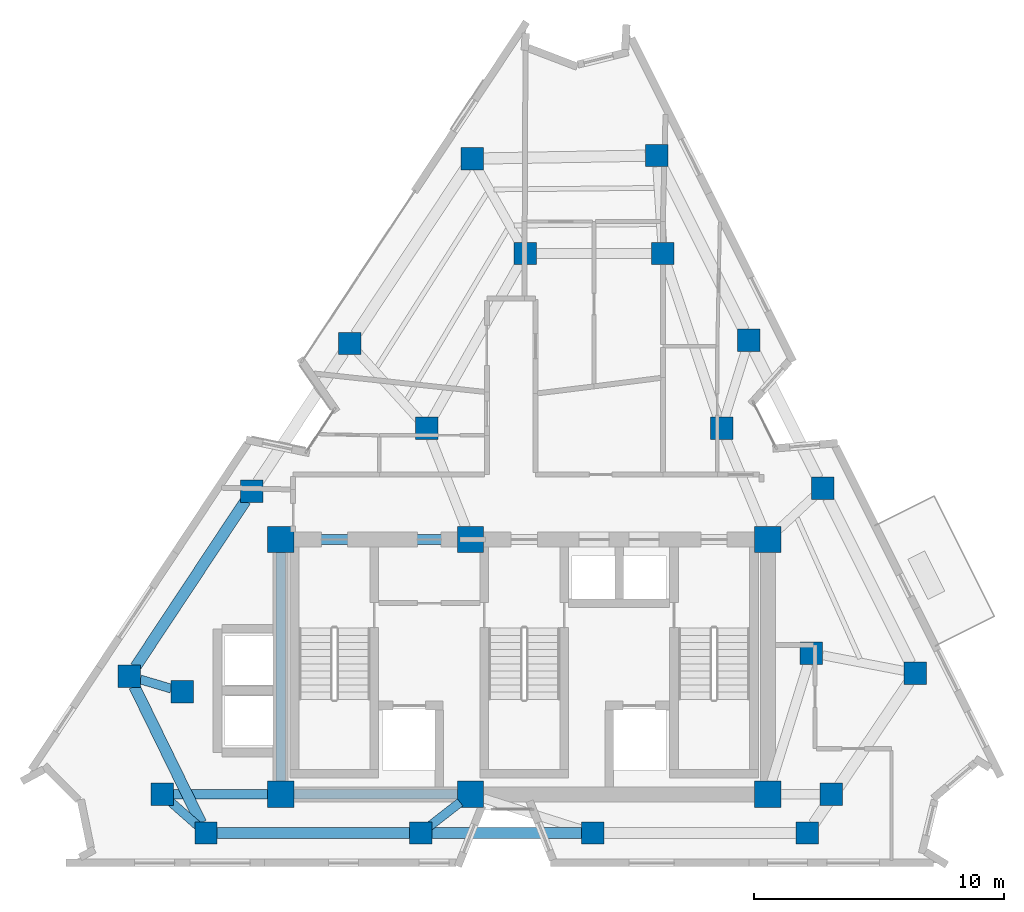
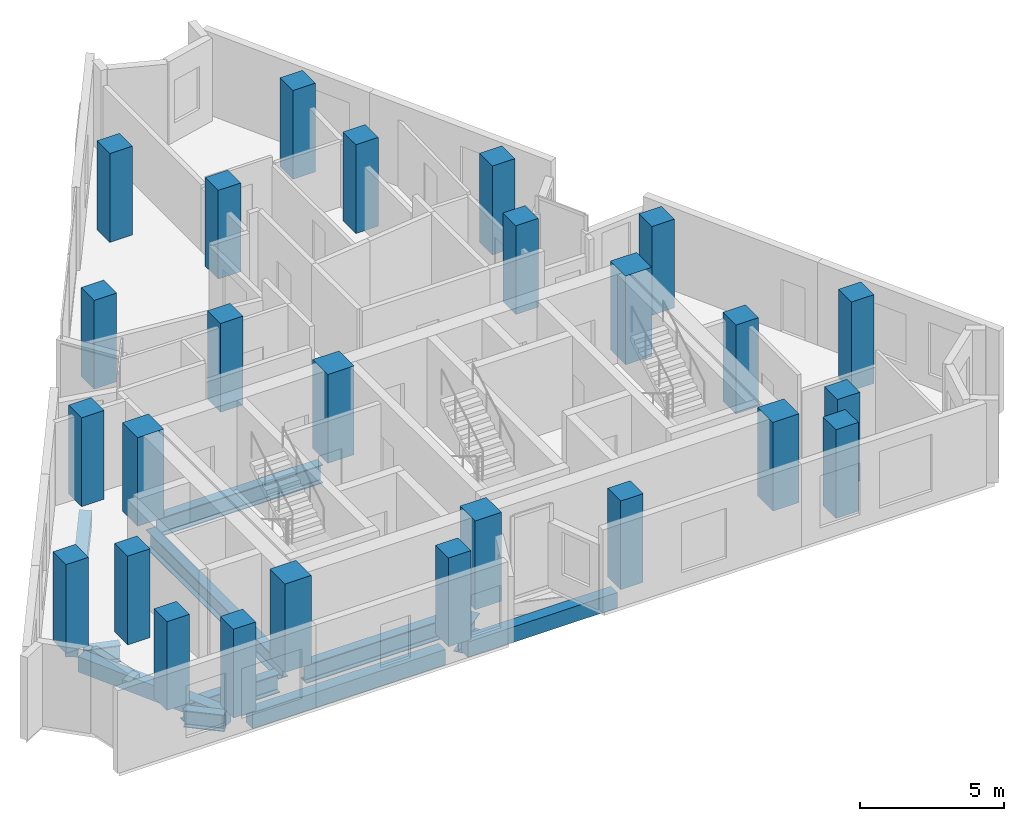
# One storey, part 1 of 9: 26 columns, 11 beams.
"""IFC4 building model written with IfcOpenShell, lengths in metres."""

from ifc_helpers import new_model, si_unit, direction, frame, origin, origin_2d, place, context, subcontext, project, spatial, rectangle, i_section, extrude, material, material_profile, profile_set, type_object, element, save


model = new_model("IFC4")

# Units and contexts
model_context = context("Model", 3, precision=1e-05, world=origin(), true_north=direction((0.0, 1.0)))
body_context = subcontext(model_context, "Body", "Model", "MODEL_VIEW")
ifc_project = project(units=[si_unit("LENGTHUNIT", "METRE"), si_unit("AREAUNIT", "SQUARE_METRE"), si_unit("VOLUMEUNIT", "CUBIC_METRE"), si_unit("PLANEANGLEUNIT", "RADIAN"), si_unit("MASSUNIT", "GRAM", prefix="KILO")], contexts=[model_context])

# Site, building, storey
site_placement = place(None, origin())
site = spatial("IfcSite", under=ifc_project, at=site_placement, CompositionType="ELEMENT")
building_placement = place(site_placement, origin())
building = spatial("IfcBuilding", under=site, at=building_placement, Name="Almagre Mirador Tower", CompositionType="ELEMENT")
storey_placement = place(building_placement, frame((0.0, 0.0, 259.5)))
storey = spatial("IfcBuildingStorey", under=building, at=storey_placement, Name="L67", CompositionType="ELEMENT", Elevation=259.5)

# Columns
ifc_material_1 = material(Name="Concrete C60/75", Category="concrete")
ifc_material_profile_1 = material_profile(ifc_material_1, rectangle(XDim=1.050048828125, YDim=1.050048828125, at=origin_2d()), Name="RC1050X1050")
ifc_profile_set_1 = profile_set([ifc_material_profile_1], Name="Concrete C60/75")
column_type_1 = type_object("IfcColumnType", Name="COL-RC1050", PredefinedType="COLUMN", material=ifc_profile_set_1)
for number, where, z_axis, x_axis, name in (
    (1, (27.550048828125, 4.550048828125, 0.0), (0.0, 0.0, 1.0), (1.0, 0.0, 0.0), "L67 core spine column CC1"),
    (2, (35.14990234375, 4.550048828125, 0.0), (0.0, 0.0, 1.0), (1.0, 0.0, 0.0), "L67 core spine column CC2"),
    (3, (47.050048828125, 4.550048828125, 0.0), (0.0, 0.0, 1.0), (1.0, 0.0, 0.0), "L67 core spine column CC3"),
    (4, (27.550048828125, 14.75, 0.0), (0.0, 0.0, 1.0), (1.0, 0.0, 0.0), "L67 core spine column CC4"),
    (5, (35.14990234375, 14.75, 0.0), (0.0, 0.0, 1.0), (1.0, 0.0, 0.0), "L67 core spine column CC5"),
    (6, (47.050048828125, 14.75, 0.0), (0.0, 0.0, 1.0), (1.0, 0.0, 0.0), "L67 core spine column CC6"),
):
    element("IfcColumn", number, at=place(storey_placement, frame(where, z_axis=z_axis, x_axis=x_axis)), inside=storey, type_object=column_type_1, Name=name, PredefinedType="COLUMN", context=body_context, shape_type="SweptSolid", body=[
        extrude(rectangle(XDim=1.050048828125, YDim=1.050048828125, at=origin_2d()), origin(), (0.0, 0.0, 1.0), 3.75),
    ])
ifc_material_2 = material(Name="Concrete C60/75", Category="concrete")
ifc_material_profile_2 = material_profile(ifc_material_2, rectangle(XDim=0.89990234375, YDim=0.89990234375, at=origin_2d()), Name="RC900X900")
ifc_profile_set_2 = profile_set([ifc_material_profile_2], Name="Concrete C60/75")
column_type_2 = type_object("IfcColumnType", Name="COL-RC900", PredefinedType="COLUMN", material=ifc_profile_set_2)
for number, where, z_axis, x_axis, name in (
    (7, (22.800048828125, 4.550048828125, 0.0), (0.0, 0.0, 1.0), (1.0, 0.0, 0.0), "L67 interior transfer column MC1"),
    (8, (49.60009765625, 4.550048828125, 0.0), (0.0, 0.0, 1.0), (1.0, 0.0, 0.0), "L67 interior transfer column MC2"),
    (9, (48.800048828125, 10.199951171875, 0.0), (0.0, 0.0, 1.0), (1.0, 0.0, 0.0), "L67 interior transfer column MC3"),
    (10, (45.199951171875, 19.199951171875, 0.0), (0.0, 0.0, 1.0), (1.0, 0.0, 0.0), "L67 interior transfer column MC5"),
    (11, (42.85009765625, 26.199951171875, 0.0), (0.0, 0.0, 1.0), (1.0, 0.0, 0.0), "L67 interior transfer column MC6"),
    (12, (37.35009765625, 26.199951171875, 0.0), (0.0, 0.0, 1.0), (1.0, 0.0, 0.0), "L67 interior transfer column MC7"),
    (13, (33.39990234375, 19.199951171875, 0.0), (0.0, 0.0, 1.0), (1.0, 0.0, 0.0), "L67 interior transfer column MC8"),
    (14, (23.60009765625, 8.64990234375, 0.0), (0.0, 0.0, 1.0), (1.0, 0.0, 0.0), "L67 interior transfer column MC10"),
    (15, (24.56005859375, 3.0, 0.0), (0.0, 0.0, 1.0), (1.0, 0.0, 0.0), "L67 perimeter column PC01"),
    (16, (33.159912109375, 3.0, 0.0), (0.0, 0.0, 1.0), (1.0, 0.0, 0.0), "L67 perimeter column PC02"),
    (17, (40.0400390625, 3.0, 0.0), (0.0, 0.0, 1.0), (1.0, 0.0, 0.0), "L67 perimeter column PC03"),
    (18, (48.639892578125, 3.0, 0.0), (0.0, 0.0, 1.0), (1.0, 0.0, 0.0), "L67 perimeter column PC04"),
    (19, (52.95703125, 9.403076171875, 0.0), (0.0, 0.0, 1.0), (1.0, 0.0, 0.0), "L67 perimeter column PC05"),
    (20, (49.257080078125, 16.802978515625, 0.0), (0.0, 0.0, 1.0), (1.0, 0.0, 0.0), "L67 perimeter column PC06"),
    (21, (46.297119140625, 22.722900390625, 0.0), (0.0, 0.0, 1.0), (1.0, 0.0, 0.0), "L67 perimeter column PC07"),
    (22, (42.596923828125, 30.123046875, 0.0), (0.0, 0.0, 1.0), (1.0, 0.0, 0.0), "L67 perimeter column PC08"),
    (23, (35.2109375, 29.9970703125, 0.0), (0.0, 0.0, 1.0), (1.0, 0.0, 0.0), "L67 perimeter column PC09"),
    (24, (30.31103515625, 22.596923828125, 0.0), (0.0, 0.0, 1.0), (1.0, 0.0, 0.0), "L67 perimeter column PC10"),
    (25, (26.39111328125, 16.677001953125, 0.0), (0.0, 0.0, 1.0), (1.0, 0.0, 0.0), "L67 perimeter column PC11"),
    (26, (21.490966796875, 9.277099609375, 0.0), (0.0, 0.0, 1.0), (1.0, 0.0, 0.0), "L67 perimeter column PC12"),
):
    element("IfcColumn", number, at=place(storey_placement, frame(where, z_axis=z_axis, x_axis=x_axis)), inside=storey, type_object=column_type_2, Name=name, PredefinedType="COLUMN", context=body_context, shape_type="SweptSolid", body=[
        extrude(rectangle(XDim=0.89990234375, YDim=0.89990234375, at=origin_2d()), origin(), (0.0, 0.0, 1.0), 3.75),
    ])

# Beams
ifc_material_3 = material(Name="Precast concrete C50/60", Category="concrete")
ifc_material_profile_3 = material_profile(ifc_material_3, rectangle(XDim=0.449951171875, YDim=0.64990234375, at=origin_2d()), Name="RC450X650")
ifc_profile_set_3 = profile_set([ifc_material_profile_3], Name="Precast concrete C50/60")
beam_type_1 = type_object("IfcBeamType", Name="BM-SPN-RC450X650", PredefinedType="SPANDREL", material=ifc_profile_set_3)
beam_1_placement = place(storey_placement, frame((25.010009765625, 3.0, -0.574951171875), z_axis=(1.0, 0.0, 0.0), x_axis=(0.0, 1.0, 0.0)))
element("IfcBeam", 27, at=beam_1_placement, inside=storey, type_object=beam_type_1, Name="L67 perimeter spandrel beam PC01-PC02", PredefinedType="SPANDREL", context=body_context, shape_type="SweptSolid", body=[
    extrude(rectangle(XDim=0.449951171875, YDim=0.64990234375, at=origin_2d()), origin(), (0.0, 0.0, 1.0), 7.699951171875),
])
beam_2_placement = place(storey_placement, frame((33.610107421875, 3.0, -0.574951171875), z_axis=(1.0, 0.0, 0.0), x_axis=(0.0, 1.0, 0.0)))
element("IfcBeam", 28, at=beam_2_placement, inside=storey, type_object=beam_type_1, Name="L67 perimeter spandrel beam PC02-PC03", PredefinedType="SPANDREL", context=body_context, shape_type="SweptSolid", body=[
    extrude(rectangle(XDim=0.449951171875, YDim=0.64990234375, at=origin_2d()), origin(), (0.0, 0.0, 1.0), 5.97998046875),
])
beam_3_placement = place(storey_placement, frame((26.142578125, 16.3017578125, -0.574951171875), z_axis=(-0.552090728818, -0.833784041076, 0.0), x_axis=(0.833784041076, -0.552090728818, 0.0)))
element("IfcBeam", 29, at=beam_3_placement, inside=storey, type_object=beam_type_1, Name="L67 perimeter spandrel beam PC11-PC12", PredefinedType="SPANDREL", context=body_context, shape_type="SweptSolid", body=[
    extrude(rectangle(XDim=0.449951171875, YDim=0.64990234375, at=origin_2d()), origin(), (0.0, 0.0, 1.0), 7.975341796875),
])
beam_4_placement = place(storey_placement, frame((21.688720703125, 8.872802734375, -0.574951171875), z_axis=(0.439222360978, -0.898378382207, 0.0), x_axis=(0.898378382207, 0.439222360978, 0.0)))
element("IfcBeam", 30, at=beam_4_placement, inside=storey, type_object=beam_type_1, Name="L67 perimeter spandrel beam PC12-PC01", PredefinedType="SPANDREL", context=body_context, shape_type="SweptSolid", body=[
    extrude(rectangle(XDim=0.449951171875, YDim=0.64990234375, at=origin_2d()), origin(), (0.0, 0.0, 1.0), 6.087158203125),
])
ifc_material_4 = material(Name="Steel ASTM A992 Grade 50", Category="steel")
ifc_material_profile_4 = material_profile(ifc_material_4, i_section(OverallWidth=0.35791015625, OverallDepth=0.7060546875, WebThickness=0.018310546875, FlangeThickness=0.0302734375, FilletRadius=0.02197265625, at=origin_2d()), Name="W27X178")
ifc_profile_set_4 = profile_set([ifc_material_profile_4], Name="Steel ASTM A992 Grade 50")
beam_type_2 = type_object("IfcBeamType", Name="BM-STL-W27X178", PredefinedType="BEAM", material=ifc_profile_set_4)
beam_5_placement = place(storey_placement, frame((24.222412109375, 3.29736328125, -0.60302734375), z_axis=(-0.750448751167, 0.660928643555, 0.0), x_axis=(-0.660928643555, -0.750448751167, 0.0)))
element("IfcBeam", 31, at=beam_5_placement, inside=storey, type_object=beam_type_2, Name="L67 radial floor girder PC01-MC1", PredefinedType="BEAM", context=body_context, shape_type="SweptSolid", body=[
    extrude(i_section(OverallWidth=0.35791015625, OverallDepth=0.7060546875, WebThickness=0.018310546875, FlangeThickness=0.0302734375, FilletRadius=0.02197265625, at=origin_2d()), origin(), (0.0, 0.0, 1.0), 1.4453125),
])
beam_6_placement = place(storey_placement, frame((33.514892578125, 3.276611328125, -0.60302734375), z_axis=(0.789020779968, 0.614366510137, 0.0), x_axis=(-0.614366510137, 0.789020779968, 0.0)))
element("IfcBeam", 32, at=beam_6_placement, inside=storey, type_object=beam_type_2, Name="L67 radial floor girder PC02-CC2", PredefinedType="BEAM", context=body_context, shape_type="SweptSolid", body=[
    extrude(i_section(OverallWidth=0.35791015625, OverallDepth=0.7060546875, WebThickness=0.018310546875, FlangeThickness=0.0302734375, FilletRadius=0.02197265625, at=origin_2d()), origin(), (0.0, 0.0, 1.0), 1.54736328125),
])
beam_7_placement = place(storey_placement, frame((21.92236328125, 9.148681640625, -0.60302734375), z_axis=(0.958572390617, -0.284849033607, 0.0), x_axis=(0.284849033607, 0.958572390617, 0.0)))
element("IfcBeam", 33, at=beam_7_placement, inside=storey, type_object=beam_type_2, Name="L67 radial floor girder PC12-MC10", PredefinedType="BEAM", context=body_context, shape_type="SweptSolid", body=[
    extrude(i_section(OverallWidth=0.35791015625, OverallDepth=0.7060546875, WebThickness=0.018310546875, FlangeThickness=0.0302734375, FilletRadius=0.02197265625, at=origin_2d()), origin(), (0.0, 0.0, 1.0), 1.30029296875),
])
ifc_material_5 = material(Name="Steel ASTM A992 Grade 50", Category="steel")
ifc_material_profile_5 = material_profile(ifc_material_5, i_section(OverallWidth=0.384033203125, OverallDepth=0.784912109375, WebThickness=0.019775390625, FlangeThickness=0.033447265625, FilletRadius=0.02392578125, at=origin_2d()), Name="W30X211")
ifc_profile_set_5 = profile_set([ifc_material_profile_5], Name="Steel ASTM A992 Grade 50")
beam_type_3 = type_object("IfcBeamType", Name="BM-STL-W30X211", PredefinedType="BEAM", material=ifc_profile_set_5)
for number, where, z_axis, x_axis, name in (
    (34, (28.074951171875, 4.550048828125, -0.642578125), (1.0, 0.0, 0.0), (0.0, 1.0, 0.0), "L67 core tie girder CC1-CC2"),
    (35, (28.074951171875, 14.75, -0.642578125), (1.0, 0.0, 0.0), (0.0, 1.0, 0.0), "L67 core tie girder CC4-CC5"),
):
    element("IfcBeam", number, at=place(storey_placement, frame(where, z_axis=z_axis, x_axis=x_axis)), inside=storey, type_object=beam_type_3, Name=name, PredefinedType="BEAM", context=body_context, shape_type="SweptSolid", body=[
        extrude(i_section(OverallWidth=0.384033203125, OverallDepth=0.784912109375, WebThickness=0.019775390625, FlangeThickness=0.033447265625, FilletRadius=0.02392578125, at=origin_2d()), origin(), (0.0, 0.0, 1.0), 6.550048828125),
    ])
beam_8_placement = place(storey_placement, frame((27.550048828125, 5.074951171875, -0.642578125), z_axis=(0.0, 1.0, 0.0), x_axis=(-1.0, 0.0, 0.0)))
element("IfcBeam", 36, at=beam_8_placement, inside=storey, type_object=beam_type_3, Name="L67 core tie girder CC1-CC4", PredefinedType="BEAM", context=body_context, shape_type="SweptSolid", body=[
    extrude(i_section(OverallWidth=0.384033203125, OverallDepth=0.784912109375, WebThickness=0.019775390625, FlangeThickness=0.033447265625, FilletRadius=0.02392578125, at=origin_2d()), origin(), (0.0, 0.0, 1.0), 9.150146484375),
])
beam_9_placement = place(storey_placement, frame((23.25, 4.550048828125, -0.642578125), z_axis=(1.0, 0.0, 0.0), x_axis=(0.0, 1.0, 0.0)))
element("IfcBeam", 37, at=beam_9_placement, inside=storey, type_object=beam_type_3, Name="L67 core tie girder MC1-CC1", PredefinedType="BEAM", context=body_context, shape_type="SweptSolid", body=[
    extrude(i_section(OverallWidth=0.384033203125, OverallDepth=0.784912109375, WebThickness=0.019775390625, FlangeThickness=0.033447265625, FilletRadius=0.02392578125, at=origin_2d()), origin(), (0.0, 0.0, 1.0), 3.77490234375),
])

save(model, "model.ifc")
